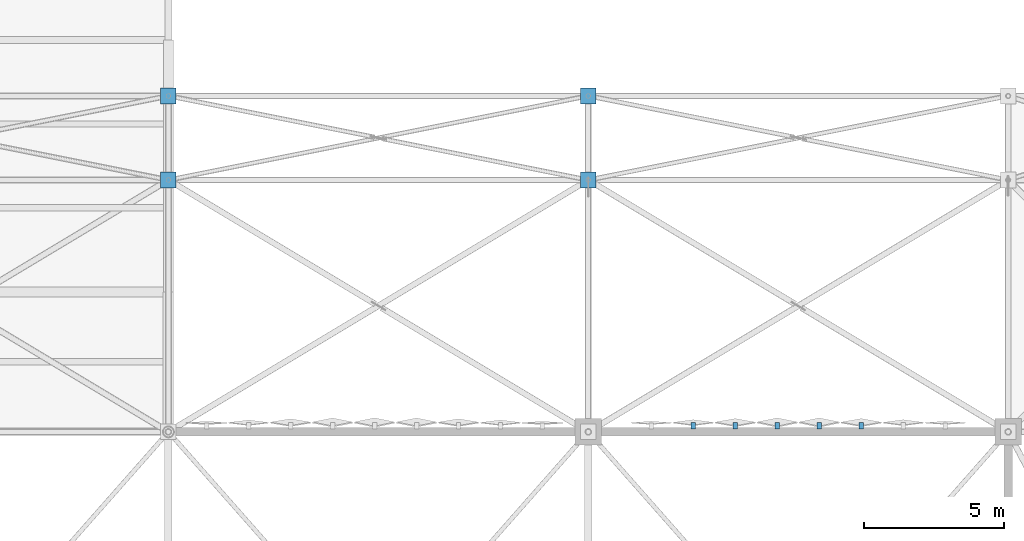
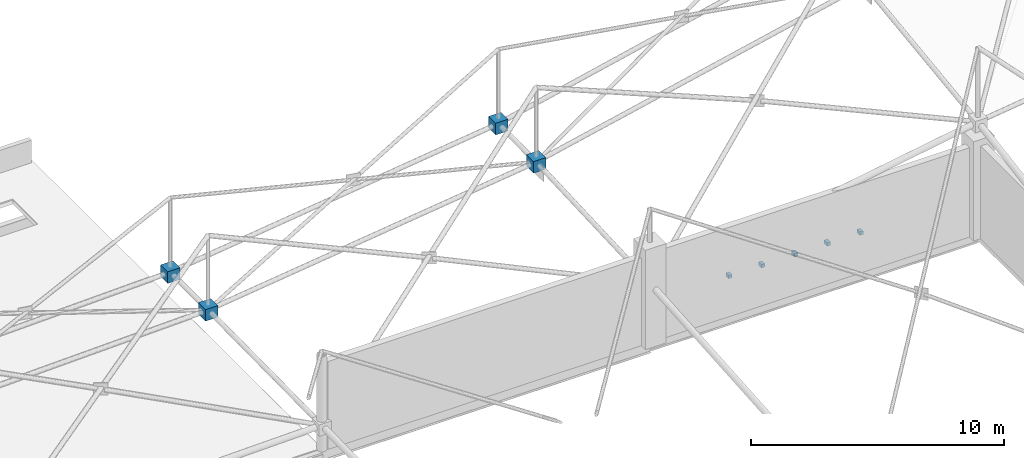
# One storey, part 212 of 224: 9 discrete accessories.
"""IFC4 building model written with IfcOpenShell, lengths in metres."""

from ifc_helpers import new_model, si_unit, direction, frame, origin, origin_2d, place, context, subcontext, project, spatial, rectangle, extrude, material, type_object, element, save


model = new_model("IFC4")

# Units and contexts
model_context = context("Model", 3, precision=1e-05, world=origin(), true_north=direction((0.0, 1.0)))
body_context = subcontext(model_context, "Body", "Model", "MODEL_VIEW")
ifc_project = project(units=[si_unit("LENGTHUNIT", "METRE"), si_unit("AREAUNIT", "SQUARE_METRE"), si_unit("VOLUMEUNIT", "CUBIC_METRE"), si_unit("PLANEANGLEUNIT", "RADIAN"), si_unit("MASSUNIT", "GRAM", prefix="KILO")], contexts=[model_context])

# Site, building, storey
site_placement = place(None, origin())
site = spatial("IfcSite", under=ifc_project, at=site_placement, CompositionType="ELEMENT")
building_placement = place(site_placement, origin())
building = spatial("IfcBuilding", under=site, at=building_placement, Name="Qamarlyn Nura Convention Centre", CompositionType="ELEMENT")
storey_placement = place(building_placement, frame((0.0, 0.0, 10.800048828125)))
storey = spatial("IfcBuildingStorey", under=building, at=storey_placement, Name="L02", CompositionType="ELEMENT", Elevation=10.800048828125)

# Discrete accessories
ifc_material_1 = material(Name="Pearl-white PVDF steel ASTM A500 Grade C", Category="steel")
discrete_accessory_type_1 = type_object("IfcDiscreteAccessoryType", Name="ACC-SF-NODE", PredefinedType="USERDEFINED", material=ifc_material_1)
for number, where, z_axis, x_axis, name in (
    (1, (90.0, 112.0, 0.985595703125), (0.0, 0.0, 1.0), (1.0, 0.0, 0.0), "Cast space frame node BC-8-8"),
    (2, (90.0, 115.0, 0.994140625), (0.0, 0.0, 1.0), (1.0, 0.0, 0.0), "Cast space frame node BC-8-9"),
    (3, (105.0, 112.0, 2.890625), (0.0, 0.0, 1.0), (1.0, 0.0, 0.0), "Cast space frame node BC-9-8"),
    (4, (105.0, 115.0, 2.919921875), (0.0, 0.0, 1.0), (1.0, 0.0, 0.0), "Cast space frame node BC-9-9"),
):
    element("IfcDiscreteAccessory", number, at=place(storey_placement, frame(where, z_axis=z_axis, x_axis=x_axis)), inside=storey, type_object=discrete_accessory_type_1, Name=name, ObjectType="SPACE FRAME NODE", PredefinedType="USERDEFINED", context=body_context, shape_type="SweptSolid", body=[
        extrude(rectangle(XDim=0.56005859375, YDim=0.56005859375, at=origin_2d()), origin(), (0.0, 0.0, 1.0), 0.56005859375),
    ])
ifc_material_2 = material(Name="Marine Grade 316 stainless steel", Category="steel")
discrete_accessory_type_2 = type_object("IfcDiscreteAccessoryType", Name="ACC-TILE-BRK", PredefinedType="BRACKET", material=ifc_material_2)
discrete_accessory_1_placement = place(storey_placement, frame((108.75, 103.22119140625, 1.6201171875), z_axis=(0.0, 0.0, 1.0), x_axis=(0.0, 1.0, 0.0)))
element("IfcDiscreteAccessory", 5, at=discrete_accessory_1_placement, inside=storey, type_object=discrete_accessory_type_2, Name="L02 diamond tile pivot bracket 0297", PredefinedType="BRACKET", context=body_context, shape_type="SweptSolid", body=[
    extrude(rectangle(XDim=0.222412109375, YDim=0.159912109375, at=origin_2d()), origin(), (0.0, 0.0, 1.0), 0.159912109375),
])
discrete_accessory_2_placement = place(storey_placement, frame((110.25, 103.224365234375, 1.6201171875), z_axis=(0.0, 0.0, 1.0), x_axis=(0.0, 1.0, 0.0)))
element("IfcDiscreteAccessory", 6, at=discrete_accessory_2_placement, inside=storey, type_object=discrete_accessory_type_2, Name="L02 diamond tile pivot bracket 0298", PredefinedType="BRACKET", context=body_context, shape_type="SweptSolid", body=[
    extrude(rectangle(XDim=0.228515625, YDim=0.159912109375, at=origin_2d()), origin(), (0.0, 0.0, 1.0), 0.159912109375),
])
for number, where, z_axis, x_axis, name in (
    (7, (111.75, 103.2265625, 1.6201171875), (0.0, 0.0, 1.0), (0.0, 1.0, 0.0), "L02 diamond tile pivot bracket 0299"),
    (8, (113.25, 103.2265625, 1.6201171875), (0.0, 0.0, 1.0), (0.0, 1.0, 0.0), "L02 diamond tile pivot bracket 0300"),
):
    element("IfcDiscreteAccessory", number, at=place(storey_placement, frame(where, z_axis=z_axis, x_axis=x_axis)), inside=storey, type_object=discrete_accessory_type_2, Name=name, PredefinedType="BRACKET", context=body_context, shape_type="SweptSolid", body=[
        extrude(rectangle(XDim=0.23291015625, YDim=0.159912109375, at=origin_2d()), origin(), (0.0, 0.0, 1.0), 0.159912109375),
    ])
discrete_accessory_3_placement = place(storey_placement, frame((114.75, 103.224365234375, 1.6201171875), z_axis=(0.0, 0.0, 1.0), x_axis=(0.0, 1.0, 0.0)))
element("IfcDiscreteAccessory", 9, at=discrete_accessory_3_placement, inside=storey, type_object=discrete_accessory_type_2, Name="L02 diamond tile pivot bracket 0301", PredefinedType="BRACKET", context=body_context, shape_type="SweptSolid", body=[
    extrude(rectangle(XDim=0.228515625, YDim=0.159912109375, at=origin_2d()), origin(), (0.0, 0.0, 1.0), 0.159912109375),
])

save(model, "model.ifc")
